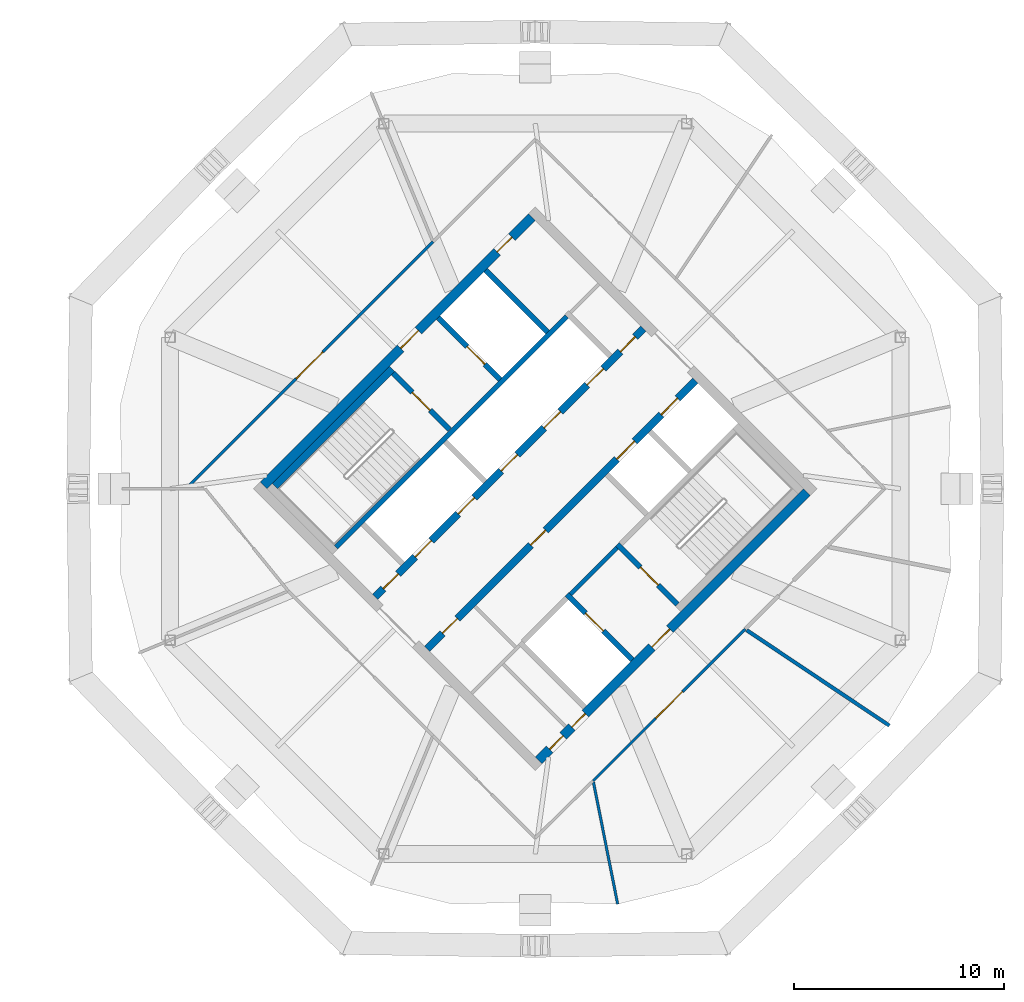
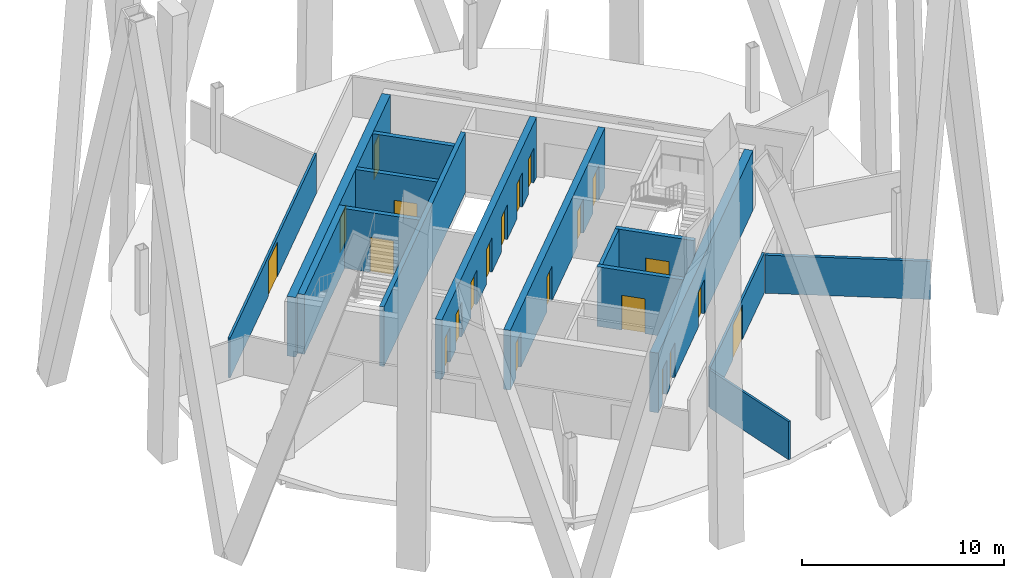
# One storey, part 7 of 11: 22 doors, 16 walls, 22 openings.
"""IFC4 building model written with IfcOpenShell, lengths in metres."""

from ifc_helpers import new_model, si_unit, direction, frame, frame_2d, origin, place, context, subcontext, project, spatial, rectangle, extrude, material, layer, layer_set, type_object, element, fill, save


model = new_model("IFC4")

# Units and contexts
model_context = context("Model", 3, precision=1e-05, world=origin(), true_north=direction((0.0, 1.0)))
body_context = subcontext(model_context, "Body", "Model", "MODEL_VIEW")
ifc_project = project(units=[si_unit("LENGTHUNIT", "METRE"), si_unit("AREAUNIT", "SQUARE_METRE"), si_unit("VOLUMEUNIT", "CUBIC_METRE"), si_unit("PLANEANGLEUNIT", "RADIAN"), si_unit("MASSUNIT", "GRAM", prefix="KILO")], contexts=[model_context])

# Site, building, storey
site_placement = place(None, origin())
site = spatial("IfcSite", under=ifc_project, at=site_placement, CompositionType="ELEMENT")
building_placement = place(site_placement, origin())
building = spatial("IfcBuilding", under=site, at=building_placement, Name="Ogive Gate Towers", CompositionType="ELEMENT")
storey_placement = place(building_placement, frame((0.0, 0.0, 244.5)))
storey = spatial("IfcBuildingStorey", under=building, at=storey_placement, Name="L58", CompositionType="ELEMENT", Elevation=244.5)

# Walls
ifc_material_1 = material(Name="Gypsum board acoustic partition")
ifc_layer_1 = layer(ifc_material_1, 0.175048828125)
ifc_layer_set_1 = layer_set([ifc_layer_1], Name="Acoustic partition 175")
wall_type_1 = type_object("IfcWallType", Name="Acoustic partition 175", PredefinedType="PARTITIONING", material=ifc_layer_set_1)
wall_1_placement = place(storey_placement, frame((52.89599609375, -11.300048828125, 0.0), z_axis=(0.0, 0.0, 1.0), x_axis=(-0.831223715201, 0.555938067852, 0.0)))
element("IfcWall", 1, at=wall_1_placement, inside=storey, type_object=wall_type_1, Name="Partition T2-L58-008", PredefinedType="PARTITIONING", context=body_context, shape_type="SweptSolid", body=[
    extrude(rectangle(XDim=8.1884765625, YDim=0.175048828125, at=frame_2d((4.09423828125, 0.0))), origin(), (0.0, 0.0, 1.0), 2.300048828125),
])
ifc_material_2 = material(Name="Masonry blockwork", Category="masonry")
ifc_layer_2 = layer(ifc_material_2, 0.199951171875)
ifc_layer_set_2 = layer_set([ifc_layer_2], Name="Blockwork wall 200 mm")
wall_type_2 = type_object("IfcWallType", Name="Blockwork wall 200 mm", PredefinedType="PARTITIONING", material=ifc_layer_set_2)
wall_2_placement = place(storey_placement, frame((37.679443359375, -5.0380859375, 0.0), z_axis=(0.0, 0.0, 1.0), x_axis=(0.707106781187, 0.707106781187, 0.0)))
element("IfcWall", 2, at=wall_2_placement, inside=storey, type_object=wall_type_2, Name="T2 L58 Blockwork wall 200 mm", PredefinedType="PARTITIONING", context=body_context, shape_type="SweptSolid", body=[
    extrude(rectangle(XDim=3.14990234375, YDim=0.199951171875, at=frame_2d((1.574951171875, 0.0))), origin(), (0.0, 0.0, 1.0), 3.60009765625),
])

# Wall, openings, doors
ifc_material_3 = material(Name="Concrete C60/75", Category="concrete")
ifc_layer_3 = layer(ifc_material_3, 0.449951171875)
ifc_layer_set_3 = layer_set([ifc_layer_3], Name="Core wall 450 mm")
wall_type_3 = type_object("IfcWallType", Name="Core wall 450 mm", PredefinedType="SHEAR", material=ifc_layer_set_3)
wall_3_placement = place(storey_placement, frame((36.1591796875, -12.957763671875, 0.0), z_axis=(0.0, 0.0, 1.0), x_axis=(0.707106781187, 0.707106781187, 0.0)))
wall_3 = element("IfcWall", 3, at=wall_3_placement, inside=storey, type_object=wall_type_3, Name="T2 L58 Core wall 450 mm", PredefinedType="SHEAR", context=body_context, shape_type="SweptSolid", body=[
    extrude(rectangle(XDim=18.099853515625, YDim=0.449951171875, at=frame_2d((9.0498046875, 0.0))), origin(), (0.0, 0.0, 1.0), 3.60009765625),
])
opening_1_placement = place(wall_3_placement, frame((7.64990234375, 0.0, 0.0)))
opening_1 = element("IfcOpeningElement", 4, at=opening_1_placement, cuts=wall_3, Name="Opening KD-T2-L58-19", PredefinedType="OPENING", context=body_context, shape_type="SweptSolid", body=[
    extrude(rectangle(XDim=1.199951171875, YDim=2.10009765625, at=frame_2d((0.60009765625, 1.050048828125))), frame((0.0, 0.23486328125, 0.0), z_axis=(0.0, -1.0, 0.0), x_axis=(1.0, 0.0, 0.0)), (0.0, 0.0, 1.0), 0.469970703125),
])
opening_2_placement = place(wall_3_placement, frame((0.75, 0.0, 0.0)))
opening_2 = element("IfcOpeningElement", 5, at=opening_2_placement, cuts=wall_3, Name="Opening KD-T2-L58-21", PredefinedType="OPENING", context=body_context, shape_type="SweptSolid", body=[
    extrude(rectangle(XDim=0.89990234375, YDim=2.10009765625, at=frame_2d((0.449951171875, 1.050048828125))), frame((0.0, 0.23486328125, 0.0), z_axis=(0.0, -1.0, 0.0), x_axis=(1.0, 0.0, 0.0)), (0.0, 0.0, 1.0), 0.469970703125),
])
opening_3_placement = place(wall_3_placement, frame((2.25, 0.0, 0.0)))
opening_3 = element("IfcOpeningElement", 6, at=opening_3_placement, cuts=wall_3, Name="Opening KD-T2-L58-22", PredefinedType="OPENING", context=body_context, shape_type="SweptSolid", body=[
    extrude(rectangle(XDim=0.89990234375, YDim=2.10009765625, at=frame_2d((0.449951171875, 1.050048828125))), frame((0.0, 0.23486328125, 0.0), z_axis=(0.0, -1.0, 0.0), x_axis=(1.0, 0.0, 0.0)), (0.0, 0.0, 1.0), 0.469970703125),
])
ifc_material_4 = material(Name="Timber door", Category="wood")
door_type_1 = type_object("IfcDoorType", Name="Core WC door 900 x 2100", OperationType="NOTDEFINED", PredefinedType="DOOR", material=ifc_material_4)
door_1_placement = place(opening_2_placement, origin())
door_1 = element("IfcDoor", 7, at=door_1_placement, inside=storey, type_object=door_type_1, Name="T2 L58 Core door", OperationType="SINGLE_SWING_RIGHT", OverallHeight=2.10009765625, OverallWidth=0.89990234375, PredefinedType="DOOR", context=body_context, shape_type="SweptSolid", body=[
    extrude(rectangle(XDim=0.89990234375, YDim=2.10009765625, at=frame_2d((0.449951171875, 1.050048828125))), frame((0.0, 0.02490234375, 0.0), z_axis=(0.0, -1.0, 0.0), x_axis=(1.0, 0.0, 0.0)), (0.0, 0.0, 1.0), 0.050048828125),
])
fill(opening_2, door_1)
door_2_placement = place(opening_3_placement, origin())
door_2 = element("IfcDoor", 8, at=door_2_placement, inside=storey, type_object=door_type_1, Name="T2 L58 Core door", OperationType="SINGLE_SWING_LEFT", OverallHeight=2.10009765625, OverallWidth=0.89990234375, PredefinedType="DOOR", context=body_context, shape_type="SweptSolid", body=[
    extrude(rectangle(XDim=0.89990234375, YDim=2.10009765625, at=frame_2d((0.449951171875, 1.050048828125))), frame((0.0, 0.02490234375, 0.0), z_axis=(0.0, -1.0, 0.0), x_axis=(1.0, 0.0, 0.0)), (0.0, 0.0, 1.0), 0.050048828125),
])
fill(opening_3, door_2)
ifc_material_5 = material(Name="Steel fire door", Category="steel")
door_type_2 = type_object("IfcDoorType", Name="Core door FD60S 1200 x 2100", OperationType="NOTDEFINED", PredefinedType="DOOR", material=ifc_material_5)
door_3_placement = place(opening_1_placement, origin())
door_3 = element("IfcDoor", 9, at=door_3_placement, inside=storey, type_object=door_type_2, Name="T2 L58 Fire-fighting lobby door", OperationType="SINGLE_SWING_RIGHT", OverallHeight=2.10009765625, OverallWidth=1.199951171875, PredefinedType="DOOR", context=body_context, shape_type="SweptSolid", body=[
    extrude(rectangle(XDim=1.199951171875, YDim=2.10009765625, at=frame_2d((0.60009765625, 1.050048828125))), frame((0.0, 0.02490234375, 0.0), z_axis=(0.0, -1.0, 0.0), x_axis=(1.0, 0.0, 0.0)), (0.0, 0.0, 1.0), 0.050048828125),
])
fill(opening_1, door_3)

wall_4_placement = place(storey_placement, frame((23.042236328125, 0.1591796875, 0.0), z_axis=(0.0, 0.0, 1.0), x_axis=(0.707106781187, 0.707106781187, 0.0)))
wall_4 = element("IfcWall", 10, at=wall_4_placement, inside=storey, type_object=wall_type_3, Name="T2 L58 Core wall 450 mm", PredefinedType="SHEAR", context=body_context, shape_type="SweptSolid", body=[
    extrude(rectangle(XDim=18.099853515625, YDim=0.449951171875, at=frame_2d((9.0498046875, 0.0))), origin(), (0.0, 0.0, 1.0), 3.60009765625),
])
opening_4_placement = place(wall_4_placement, frame((9.25, 0.0, 0.0)))
opening_4 = element("IfcOpeningElement", 11, at=opening_4_placement, cuts=wall_4, Name="Opening KD-T2-L58-18", PredefinedType="OPENING", context=body_context, shape_type="SweptSolid", body=[
    extrude(rectangle(XDim=1.199951171875, YDim=2.10009765625, at=frame_2d((0.60009765625, 1.050048828125))), frame((0.0, 0.23486328125, 0.0), z_axis=(0.0, -1.0, 0.0), x_axis=(1.0, 0.0, 0.0)), (0.0, 0.0, 1.0), 0.469970703125),
])
opening_5_placement = place(wall_4_placement, frame((15.75, 0.0, 0.0)))
opening_5 = element("IfcOpeningElement", 12, at=opening_5_placement, cuts=wall_4, Name="Opening KD-T2-L58-20", PredefinedType="OPENING", context=body_context, shape_type="SweptSolid", body=[
    extrude(rectangle(XDim=1.0, YDim=2.10009765625, at=frame_2d((0.5, 1.050048828125))), frame((0.0, 0.23486328125, 0.0), z_axis=(0.0, -1.0, 0.0), x_axis=(1.0, 0.0, 0.0)), (0.0, 0.0, 1.0), 0.469970703125),
])
door_type_3 = type_object("IfcDoorType", Name="Accessible WC door 1000 x 2100", OperationType="NOTDEFINED", PredefinedType="DOOR", material=ifc_material_4)
door_4_placement = place(opening_5_placement, origin())
door_4 = element("IfcDoor", 13, at=door_4_placement, inside=storey, type_object=door_type_3, Name="T2 L58 Core door", OperationType="SINGLE_SWING_LEFT", OverallHeight=2.10009765625, OverallWidth=1.0, PredefinedType="DOOR", context=body_context, shape_type="SweptSolid", body=[
    extrude(rectangle(XDim=1.0, YDim=2.10009765625, at=frame_2d((0.5, 1.050048828125))), frame((0.0, 0.02490234375, 0.0), z_axis=(0.0, -1.0, 0.0), x_axis=(1.0, 0.0, 0.0)), (0.0, 0.0, 1.0), 0.050048828125),
])
fill(opening_5, door_4)
door_5_placement = place(opening_4_placement, origin())
door_5 = element("IfcDoor", 14, at=door_5_placement, inside=storey, type_object=door_type_2, Name="T2 L58 Fire-fighting lobby door", OperationType="SINGLE_SWING_LEFT", OverallHeight=2.10009765625, OverallWidth=1.199951171875, PredefinedType="DOOR", context=body_context, shape_type="SweptSolid", body=[
    extrude(rectangle(XDim=1.199951171875, YDim=2.10009765625, at=frame_2d((0.60009765625, 1.050048828125))), frame((0.0, 0.02490234375, 0.0), z_axis=(0.0, -1.0, 0.0), x_axis=(1.0, 0.0, 0.0)), (0.0, 0.0, 1.0), 0.050048828125),
])
fill(opening_4, door_5)

# Wall
ifc_material_6 = material(Name="Gypsum board partition")
ifc_layer_4 = layer(ifc_material_6, 0.125)
ifc_layer_set_4 = layer_set([ifc_layer_4], Name="Partition 125")
wall_type_4 = type_object("IfcWallType", Name="Partition 125", PredefinedType="PARTITIONING", material=ifc_layer_set_4)
wall_5_placement = place(storey_placement, frame((39.93408203125, -19.822998046875, 0.0), z_axis=(0.0, 0.0, 1.0), x_axis=(-0.194647367093, 0.980873285641, 0.0)))
element("IfcWall", 15, at=wall_5_placement, inside=storey, type_object=wall_type_4, Name="Partition T2-L58-007", PredefinedType="PARTITIONING", context=body_context, shape_type="SweptSolid", body=[
    extrude(rectangle(XDim=5.946533203125, YDim=0.125, at=frame_2d((2.97314453125, 0.0))), origin(), (0.0, 0.0, 1.0), 2.300048828125),
])

# Wall, opening, door
wall_6_placement = place(storey_placement, frame((31.120361328125, 11.780517578125, 0.0), z_axis=(0.0, 0.0, 1.0), x_axis=(-0.707084584562, -0.707128977115, 0.0)))
wall_6 = element("IfcWall", 16, at=wall_6_placement, inside=storey, type_object=wall_type_4, Name="Partition T2-L58-010", PredefinedType="PARTITIONING", context=body_context, shape_type="SweptSolid", body=[
    extrude(rectangle(XDim=16.498779296875, YDim=0.125, at=frame_2d((8.24951171875, 0.0))), origin(), (0.0, 0.0, 1.0), 2.39990234375),
])
opening_6_placement = place(wall_6_placement, frame((7.429931640625, 0.0, 0.0)))
opening_6 = element("IfcOpeningElement", 17, at=opening_6_placement, cuts=wall_6, Name="Opening T2-L58-D01", PredefinedType="OPENING", context=body_context, shape_type="SweptSolid", body=[
    extrude(rectangle(XDim=1.800048828125, YDim=2.10009765625, at=frame_2d((0.89990234375, 1.050048828125))), frame((0.0, 0.072509765625, 0.0), z_axis=(0.0, -1.0, 0.0), x_axis=(1.0, 0.0, 0.0)), (0.0, 0.0, 1.0), 0.14501953125),
])
door_type_4 = type_object("IfcDoorType", Name="Door pair 1800", OperationType="NOTDEFINED", PredefinedType="DOOR", material=ifc_material_4)
door_6_placement = place(opening_6_placement, origin())
door_6 = element("IfcDoor", 18, at=door_6_placement, inside=storey, type_object=door_type_4, Name="Door T2-L58-D01", OperationType="DOUBLE_DOOR_DOUBLE_SWING", OverallHeight=2.10009765625, OverallWidth=1.800048828125, PredefinedType="DOOR", context=body_context, shape_type="SweptSolid", body=[
    extrude(rectangle(XDim=1.800048828125, YDim=2.10009765625, at=frame_2d((0.89990234375, 1.050048828125))), frame((0.0, 0.02490234375, 0.0), z_axis=(0.0, -1.0, 0.0), x_axis=(1.0, 0.0, 0.0)), (0.0, 0.0, 1.0), 0.050048828125),
])
fill(opening_6, door_6)

wall_7_placement = place(storey_placement, frame((38.764404296875, -13.928955078125, 0.0), z_axis=(0.0, 0.0, 1.0), x_axis=(0.708214508898, 0.705997315424, 0.0)))
wall_7 = element("IfcWall", 19, at=wall_7_placement, inside=storey, type_object=wall_type_4, Name="Partition T2-L58-015", PredefinedType="PARTITIONING", context=body_context, shape_type="SweptSolid", body=[
    extrude(rectangle(XDim=10.240478515625, YDim=0.125, at=frame_2d((5.1201171875, 0.0))), origin(), (0.0, 0.0, 1.0), 2.39990234375),
])
opening_7_placement = place(wall_7_placement, frame((4.219970703125, 0.0, 0.0)))
opening_7 = element("IfcOpeningElement", 20, at=opening_7_placement, cuts=wall_7, Name="Opening T2-L58-D05", PredefinedType="OPENING", context=body_context, shape_type="SweptSolid", body=[
    extrude(rectangle(XDim=1.800048828125, YDim=2.10009765625, at=frame_2d((0.89990234375, 1.050048828125))), frame((0.0, 0.072509765625, 0.0), z_axis=(0.0, -1.0, 0.0), x_axis=(1.0, 0.0, 0.0)), (0.0, 0.0, 1.0), 0.14501953125),
])
door_7_placement = place(opening_7_placement, origin())
door_7 = element("IfcDoor", 21, at=door_7_placement, inside=storey, type_object=door_type_4, Name="Door T2-L58-D05", OperationType="DOUBLE_DOOR_DOUBLE_SWING", OverallHeight=2.10009765625, OverallWidth=1.800048828125, PredefinedType="DOOR", context=body_context, shape_type="SweptSolid", body=[
    extrude(rectangle(XDim=1.800048828125, YDim=2.10009765625, at=frame_2d((0.89990234375, 1.050048828125))), frame((0.0, 0.02490234375, 0.0), z_axis=(0.0, -1.0, 0.0), x_axis=(1.0, 0.0, 0.0)), (0.0, 0.0, 1.0), 0.050048828125),
])
fill(opening_7, door_7)

# Wall
ifc_layer_5 = layer(ifc_material_3, 0.25)
ifc_layer_set_5 = layer_set([ifc_layer_5], Name="Shaft wall 250 mm")
wall_type_5 = type_object("IfcWallType", Name="Shaft wall 250 mm", PredefinedType="SHEAR", material=ifc_layer_set_5)
wall_8_placement = place(storey_placement, frame((26.489501953125, -2.793212890625, 0.0), z_axis=(0.0, 0.0, 1.0), x_axis=(0.707098943647, 0.70711461864, 0.0)))
element("IfcWall", 22, at=wall_8_placement, inside=storey, type_object=wall_type_5, Name="T2 L58 Shaft wall 250 mm", PredefinedType="SHEAR", context=body_context, shape_type="SweptSolid", body=[
    extrude(rectangle(XDim=15.5751953125, YDim=0.25, at=frame_2d((7.78759765625, 0.0))), origin(), (0.0, 0.0, 1.0), 3.60009765625),
])

# Wall, opening, door
wall_9_placement = place(storey_placement, frame((40.631591796875, -8.1669921875, 0.0), z_axis=(0.0, 0.0, 1.0), x_axis=(-0.707106781187, 0.707106781187, 0.0)))
wall_9 = element("IfcWall", 23, at=wall_9_placement, inside=storey, type_object=wall_type_5, Name="T2 L58 Shaft wall 250 mm", PredefinedType="SHEAR", context=body_context, shape_type="SweptSolid", body=[
    extrude(rectangle(XDim=4.425048828125, YDim=0.25, at=frame_2d((2.21240234375, 0.0))), origin(), (0.0, 0.0, 1.0), 3.60009765625),
])
opening_8_placement = place(wall_9_placement, frame((1.949951171875, 0.0, 0.0)))
opening_8 = element("IfcOpeningElement", 24, at=opening_8_placement, cuts=wall_9, Name="Opening LD-T2-L58-13", PredefinedType="OPENING", context=body_context, shape_type="SweptSolid", body=[
    extrude(rectangle(XDim=1.199951171875, YDim=2.10009765625, at=frame_2d((0.60009765625, 1.050048828125))), frame((0.0, 0.135009765625, 0.0), z_axis=(0.0, -1.0, 0.0), x_axis=(1.0, 0.0, 0.0)), (0.0, 0.0, 1.0), 0.27001953125),
])
ifc_material_7 = material(Name="Stainless steel landing door", Category="steel")
door_type_5 = type_object("IfcDoorType", Name="Landing door 1200 x 2100", OperationType="SLIDING_TO_LEFT", PredefinedType="DOOR", material=ifc_material_7)
door_8_placement = place(opening_8_placement, origin())
door_8 = element("IfcDoor", 25, at=door_8_placement, inside=storey, type_object=door_type_5, Name="T2 L58 Lift landing door FF2", OperationType="SLIDING_TO_LEFT", OverallHeight=2.10009765625, OverallWidth=1.199951171875, PredefinedType="DOOR", context=body_context, shape_type="SweptSolid", body=[
    extrude(rectangle(XDim=1.199951171875, YDim=2.10009765625, at=frame_2d((0.60009765625, 1.050048828125))), frame((0.0, 0.02490234375, 0.0), z_axis=(0.0, -1.0, 0.0), x_axis=(1.0, 0.0, 0.0)), (0.0, 0.0, 1.0), 0.050048828125),
])
fill(opening_8, door_8)

wall_10_placement = place(storey_placement, frame((31.91650390625, 2.810791015625, 0.0), z_axis=(0.0, 0.0, 1.0), x_axis=(-0.707106781187, 0.707106781187, 0.0)))
wall_10 = element("IfcWall", 26, at=wall_10_placement, inside=storey, type_object=wall_type_5, Name="T2 L58 Shaft wall 250 mm", PredefinedType="SHEAR", context=body_context, shape_type="SweptSolid", body=[
    extrude(rectangle(XDim=3.824951171875, YDim=0.25, at=frame_2d((1.91259765625, 0.0))), origin(), (0.0, 0.0, 1.0), 3.60009765625),
])
opening_9_placement = place(wall_10_placement, frame((1.324951171875, 0.0, 0.0)))
opening_9 = element("IfcOpeningElement", 27, at=opening_9_placement, cuts=wall_10, Name="Opening KD-T2-L58-16", PredefinedType="OPENING", context=body_context, shape_type="SweptSolid", body=[
    extrude(rectangle(XDim=1.199951171875, YDim=2.10009765625, at=frame_2d((0.60009765625, 1.050048828125))), frame((0.0, 0.135009765625, 0.0), z_axis=(0.0, -1.0, 0.0), x_axis=(1.0, 0.0, 0.0)), (0.0, 0.0, 1.0), 0.27001953125),
])
door_9_placement = place(opening_9_placement, origin())
door_9 = element("IfcDoor", 28, at=door_9_placement, inside=storey, type_object=door_type_2, Name="T2 L58 Stair door", OperationType="SINGLE_SWING_LEFT", OverallHeight=2.10009765625, OverallWidth=1.199951171875, PredefinedType="DOOR", context=body_context, shape_type="SweptSolid", body=[
    extrude(rectangle(XDim=1.199951171875, YDim=2.10009765625, at=frame_2d((0.60009765625, 1.050048828125))), frame((0.0, 0.02490234375, 0.0), z_axis=(0.0, -1.0, 0.0), x_axis=(1.0, 0.0, 0.0)), (0.0, 0.0, 1.0), 0.050048828125),
])
fill(opening_9, door_9)

wall_11_placement = place(storey_placement, frame((42.7880859375, -5.515380859375, 0.0), z_axis=(0.0, 0.0, 1.0), x_axis=(-0.707106781187, 0.707106781187, 0.0)))
wall_11 = element("IfcWall", 29, at=wall_11_placement, inside=storey, type_object=wall_type_5, Name="T2 L58 Shaft wall 250 mm", PredefinedType="SHEAR", context=body_context, shape_type="SweptSolid", body=[
    extrude(rectangle(XDim=4.050048828125, YDim=0.25, at=frame_2d((2.02490234375, 0.0))), origin(), (0.0, 0.0, 1.0), 3.60009765625),
])
opening_10_placement = place(wall_11_placement, frame((1.300048828125, 0.0, 0.0)))
opening_10 = element("IfcOpeningElement", 30, at=opening_10_placement, cuts=wall_11, Name="Opening KD-T2-L58-17", PredefinedType="OPENING", context=body_context, shape_type="SweptSolid", body=[
    extrude(rectangle(XDim=1.199951171875, YDim=2.10009765625, at=frame_2d((0.60009765625, 1.050048828125))), frame((0.0, 0.135009765625, 0.0), z_axis=(0.0, -1.0, 0.0), x_axis=(1.0, 0.0, 0.0)), (0.0, 0.0, 1.0), 0.27001953125),
])
door_10_placement = place(opening_10_placement, origin())
door_10 = element("IfcDoor", 31, at=door_10_placement, inside=storey, type_object=door_type_2, Name="T2 L58 Stair door", OperationType="SINGLE_SWING_RIGHT", OverallHeight=2.10009765625, OverallWidth=1.199951171875, PredefinedType="DOOR", context=body_context, shape_type="SweptSolid", body=[
    extrude(rectangle(XDim=1.199951171875, YDim=2.10009765625, at=frame_2d((0.60009765625, 1.050048828125))), frame((0.0, 0.02490234375, 0.0), z_axis=(0.0, -1.0, 0.0), x_axis=(1.0, 0.0, 0.0)), (0.0, 0.0, 1.0), 0.050048828125),
])
fill(opening_10, door_10)

wall_12_placement = place(storey_placement, frame((34.320556640625, 5.21484375, 0.0), z_axis=(0.0, 0.0, 1.0), x_axis=(-0.707106781187, 0.707106781187, 0.0)))
wall_12 = element("IfcWall", 32, at=wall_12_placement, inside=storey, type_object=wall_type_5, Name="T2 L58 Shaft wall 250 mm", PredefinedType="SHEAR", context=body_context, shape_type="SweptSolid", body=[
    extrude(rectangle(XDim=4.175048828125, YDim=0.25, at=frame_2d((2.08740234375, 0.0))), origin(), (0.0, 0.0, 1.0), 3.60009765625),
])
opening_11_placement = place(wall_12_placement, frame((1.02490234375, 0.0, 0.0)))
opening_11 = element("IfcOpeningElement", 33, at=opening_11_placement, cuts=wall_12, Name="Opening LD-T2-L58-12", PredefinedType="OPENING", context=body_context, shape_type="SweptSolid", body=[
    extrude(rectangle(XDim=1.199951171875, YDim=2.10009765625, at=frame_2d((0.60009765625, 1.050048828125))), frame((0.0, 0.135009765625, 0.0), z_axis=(0.0, -1.0, 0.0), x_axis=(1.0, 0.0, 0.0)), (0.0, 0.0, 1.0), 0.27001953125),
])
door_11_placement = place(opening_11_placement, origin())
door_11 = element("IfcDoor", 34, at=door_11_placement, inside=storey, type_object=door_type_5, Name="T2 L58 Lift landing door FF1", OperationType="SLIDING_TO_LEFT", OverallHeight=2.10009765625, OverallWidth=1.199951171875, PredefinedType="DOOR", context=body_context, shape_type="SweptSolid", body=[
    extrude(rectangle(XDim=1.199951171875, YDim=2.10009765625, at=frame_2d((0.60009765625, 1.050048828125))), frame((0.0, 0.02490234375, 0.0), z_axis=(0.0, -1.0, 0.0), x_axis=(1.0, 0.0, 0.0)), (0.0, 0.0, 1.0), 0.050048828125),
])
fill(opening_11, door_11)

# Wall
wall_13_placement = place(storey_placement, frame((36.58349609375, 7.477783203125, 0.0), z_axis=(0.0, 0.0, 1.0), x_axis=(-0.707165256008, 0.707048301529, 0.0)))
element("IfcWall", 35, at=wall_13_placement, inside=storey, type_object=wall_type_5, Name="T2 L58 Shaft wall 250 mm", PredefinedType="SHEAR", context=body_context, shape_type="SweptSolid", body=[
    extrude(rectangle(XDim=4.175048828125, YDim=0.25, at=frame_2d((2.08740234375, 0.0))), origin(), (0.0, 0.0, 1.0), 3.60009765625),
])

# Wall, openings, doors
ifc_layer_6 = layer(ifc_material_3, 0.35009765625)
ifc_layer_set_6 = layer_set([ifc_layer_6], Name="Spine wall 350 mm")
wall_type_6 = type_object("IfcWallType", Name="Spine wall 350 mm", PredefinedType="SHEAR", material=ifc_layer_set_6)
wall_14_placement = place(storey_placement, frame((30.838134765625, -7.63671875, 0.0), z_axis=(0.0, 0.0, 1.0), x_axis=(0.707106781187, 0.707106781187, 0.0)))
wall_14 = element("IfcWall", 36, at=wall_14_placement, inside=storey, type_object=wall_type_6, Name="T2 L58 Spine wall 350 mm", PredefinedType="SHEAR", context=body_context, shape_type="SweptSolid", body=[
    extrude(rectangle(XDim=18.099853515625, YDim=0.35009765625, at=frame_2d((9.0498046875, 0.0))), origin(), (0.0, 0.0, 1.0), 3.60009765625),
])
opening_12_placement = place(wall_14_placement, frame((12.800048828125, 0.0, 0.0)))
opening_12 = element("IfcOpeningElement", 37, at=opening_12_placement, cuts=wall_14, Name="Opening LD-T2-L58-10", PredefinedType="OPENING", context=body_context, shape_type="SweptSolid", body=[
    extrude(rectangle(XDim=1.199951171875, YDim=2.10009765625, at=frame_2d((0.60009765625, 1.050048828125))), frame((0.0, 0.18505859375, 0.0), z_axis=(0.0, -1.0, 0.0), x_axis=(1.0, 0.0, 0.0)), (0.0, 0.0, 1.0), 0.3701171875),
])
opening_13_placement = place(wall_14_placement, frame((15.800048828125, 0.0, 0.0)))
opening_13 = element("IfcOpeningElement", 38, at=opening_13_placement, cuts=wall_14, Name="Opening LD-T2-L58-11", PredefinedType="OPENING", context=body_context, shape_type="SweptSolid", body=[
    extrude(rectangle(XDim=1.10009765625, YDim=2.10009765625, at=frame_2d((0.550048828125, 1.050048828125))), frame((0.0, 0.18505859375, 0.0), z_axis=(0.0, -1.0, 0.0), x_axis=(1.0, 0.0, 0.0)), (0.0, 0.0, 1.0), 0.3701171875),
])
opening_14_placement = place(wall_14_placement, frame((1.050048828125, 0.0, 0.0)))
opening_14 = element("IfcOpeningElement", 39, at=opening_14_placement, cuts=wall_14, Name="Opening KD-T2-L58-14", PredefinedType="OPENING", context=body_context, shape_type="SweptSolid", body=[
    extrude(rectangle(XDim=1.0, YDim=2.10009765625, at=frame_2d((0.5, 1.050048828125))), frame((0.0, 0.18505859375, 0.0), z_axis=(0.0, -1.0, 0.0), x_axis=(1.0, 0.0, 0.0)), (0.0, 0.0, 1.0), 0.3701171875),
])
opening_15_placement = place(wall_14_placement, frame((7.0, 0.0, 0.0)))
opening_15 = element("IfcOpeningElement", 40, at=opening_15_placement, cuts=wall_14, Name="Opening KD-T2-L58-15", PredefinedType="OPENING", context=body_context, shape_type="SweptSolid", body=[
    extrude(rectangle(XDim=1.0, YDim=2.10009765625, at=frame_2d((0.5, 1.050048828125))), frame((0.0, 0.18505859375, 0.0), z_axis=(0.0, -1.0, 0.0), x_axis=(1.0, 0.0, 0.0)), (0.0, 0.0, 1.0), 0.3701171875),
])
door_type_6 = type_object("IfcDoorType", Name="Core door FD60S 1000 x 2100", OperationType="NOTDEFINED", PredefinedType="DOOR", material=ifc_material_5)
door_12_placement = place(opening_14_placement, origin())
door_12 = element("IfcDoor", 41, at=door_12_placement, inside=storey, type_object=door_type_6, Name="T2 L58 Core door", OperationType="SINGLE_SWING_LEFT", OverallHeight=2.10009765625, OverallWidth=1.0, PredefinedType="DOOR", context=body_context, shape_type="SweptSolid", body=[
    extrude(rectangle(XDim=1.0, YDim=2.10009765625, at=frame_2d((0.5, 1.050048828125))), frame((0.0, 0.02490234375, 0.0), z_axis=(0.0, -1.0, 0.0), x_axis=(1.0, 0.0, 0.0)), (0.0, 0.0, 1.0), 0.050048828125),
])
fill(opening_14, door_12)
door_13_placement = place(opening_15_placement, origin())
door_13 = element("IfcDoor", 42, at=door_13_placement, inside=storey, type_object=door_type_6, Name="T2 L58 Core door", OperationType="SINGLE_SWING_RIGHT", OverallHeight=2.10009765625, OverallWidth=1.0, PredefinedType="DOOR", context=body_context, shape_type="SweptSolid", body=[
    extrude(rectangle(XDim=1.0, YDim=2.10009765625, at=frame_2d((0.5, 1.050048828125))), frame((0.0, 0.02490234375, 0.0), z_axis=(0.0, -1.0, 0.0), x_axis=(1.0, 0.0, 0.0)), (0.0, 0.0, 1.0), 0.050048828125),
])
fill(opening_15, door_13)
door_type_7 = type_object("IfcDoorType", Name="Landing door 1100 x 2100", OperationType="SLIDING_TO_LEFT", PredefinedType="DOOR", material=ifc_material_7)
door_14_placement = place(opening_13_placement, origin())
door_14 = element("IfcDoor", 43, at=door_14_placement, inside=storey, type_object=door_type_7, Name="T2 L58 Lift landing door B6", OperationType="SLIDING_TO_LEFT", OverallHeight=2.10009765625, OverallWidth=1.10009765625, PredefinedType="DOOR", context=body_context, shape_type="SweptSolid", body=[
    extrude(rectangle(XDim=1.10009765625, YDim=2.10009765625, at=frame_2d((0.550048828125, 1.050048828125))), frame((0.0, 0.02490234375, 0.0), z_axis=(0.0, -1.0, 0.0), x_axis=(1.0, 0.0, 0.0)), (0.0, 0.0, 1.0), 0.050048828125),
])
fill(opening_13, door_14)
door_15_placement = place(opening_12_placement, origin())
door_15 = element("IfcDoor", 44, at=door_15_placement, inside=storey, type_object=door_type_5, Name="T2 L58 Lift landing door SVC", OperationType="SLIDING_TO_LEFT", OverallHeight=2.10009765625, OverallWidth=1.199951171875, PredefinedType="DOOR", context=body_context, shape_type="SweptSolid", body=[
    extrude(rectangle(XDim=1.199951171875, YDim=2.10009765625, at=frame_2d((0.60009765625, 1.050048828125))), frame((0.0, 0.02490234375, 0.0), z_axis=(0.0, -1.0, 0.0), x_axis=(1.0, 0.0, 0.0)), (0.0, 0.0, 1.0), 0.050048828125),
])
fill(opening_12, door_15)

wall_15_placement = place(storey_placement, frame((28.36328125, -5.161865234375, 0.0), z_axis=(0.0, 0.0, 1.0), x_axis=(0.707106781187, 0.707106781187, 0.0)))
wall_15 = element("IfcWall", 45, at=wall_15_placement, inside=storey, type_object=wall_type_6, Name="T2 L58 Spine wall 350 mm", PredefinedType="SHEAR", context=body_context, shape_type="SweptSolid", body=[
    extrude(rectangle(XDim=18.099853515625, YDim=0.35009765625, at=frame_2d((9.0498046875, 0.0))), origin(), (0.0, 0.0, 1.0), 3.60009765625),
])
opening_16_placement = place(wall_15_placement, frame((0.550048828125, 0.0, 0.0)))
opening_16 = element("IfcOpeningElement", 46, at=opening_16_placement, cuts=wall_15, Name="Opening KD-T2-L58-03", PredefinedType="OPENING", context=body_context, shape_type="SweptSolid", body=[
    extrude(rectangle(XDim=1.0, YDim=2.10009765625, at=frame_2d((0.5, 1.050048828125))), frame((0.0, 0.18505859375, 0.0), z_axis=(0.0, -1.0, 0.0), x_axis=(1.0, 0.0, 0.0)), (0.0, 0.0, 1.0), 0.3701171875),
])
opening_17_placement = place(wall_15_placement, frame((2.699951171875, 0.0, 0.0)))
opening_17 = element("IfcOpeningElement", 47, at=opening_17_placement, cuts=wall_15, Name="Opening LD-T2-L58-04", PredefinedType="OPENING", context=body_context, shape_type="SweptSolid", body=[
    extrude(rectangle(XDim=1.10009765625, YDim=2.10009765625, at=frame_2d((0.550048828125, 1.050048828125))), frame((0.0, 0.18505859375, 0.0), z_axis=(0.0, -1.0, 0.0), x_axis=(1.0, 0.0, 0.0)), (0.0, 0.0, 1.0), 0.3701171875),
])
opening_18_placement = place(wall_15_placement, frame((5.60009765625, 0.0, 0.0)))
opening_18 = element("IfcOpeningElement", 48, at=opening_18_placement, cuts=wall_15, Name="Opening LD-T2-L58-05", PredefinedType="OPENING", context=body_context, shape_type="SweptSolid", body=[
    extrude(rectangle(XDim=1.10009765625, YDim=2.10009765625, at=frame_2d((0.550048828125, 1.050048828125))), frame((0.0, 0.18505859375, 0.0), z_axis=(0.0, -1.0, 0.0), x_axis=(1.0, 0.0, 0.0)), (0.0, 0.0, 1.0), 0.3701171875),
])
opening_19_placement = place(wall_15_placement, frame((8.5, 0.0, 0.0)))
opening_19 = element("IfcOpeningElement", 49, at=opening_19_placement, cuts=wall_15, Name="Opening LD-T2-L58-06", PredefinedType="OPENING", context=body_context, shape_type="SweptSolid", body=[
    extrude(rectangle(XDim=1.10009765625, YDim=2.10009765625, at=frame_2d((0.550048828125, 1.050048828125))), frame((0.0, 0.18505859375, 0.0), z_axis=(0.0, -1.0, 0.0), x_axis=(1.0, 0.0, 0.0)), (0.0, 0.0, 1.0), 0.3701171875),
])
opening_20_placement = place(wall_15_placement, frame((11.39990234375, 0.0, 0.0)))
opening_20 = element("IfcOpeningElement", 50, at=opening_20_placement, cuts=wall_15, Name="Opening LD-T2-L58-07", PredefinedType="OPENING", context=body_context, shape_type="SweptSolid", body=[
    extrude(rectangle(XDim=1.10009765625, YDim=2.10009765625, at=frame_2d((0.550048828125, 1.050048828125))), frame((0.0, 0.18505859375, 0.0), z_axis=(0.0, -1.0, 0.0), x_axis=(1.0, 0.0, 0.0)), (0.0, 0.0, 1.0), 0.3701171875),
])
opening_21_placement = place(wall_15_placement, frame((14.300048828125, 0.0, 0.0)))
opening_21 = element("IfcOpeningElement", 51, at=opening_21_placement, cuts=wall_15, Name="Opening LD-T2-L58-08", PredefinedType="OPENING", context=body_context, shape_type="SweptSolid", body=[
    extrude(rectangle(XDim=1.10009765625, YDim=2.10009765625, at=frame_2d((0.550048828125, 1.050048828125))), frame((0.0, 0.18505859375, 0.0), z_axis=(0.0, -1.0, 0.0), x_axis=(1.0, 0.0, 0.0)), (0.0, 0.0, 1.0), 0.3701171875),
])
opening_22_placement = place(wall_15_placement, frame((16.550048828125, 0.0, 0.0)))
opening_22 = element("IfcOpeningElement", 52, at=opening_22_placement, cuts=wall_15, Name="Opening KD-T2-L58-09", PredefinedType="OPENING", context=body_context, shape_type="SweptSolid", body=[
    extrude(rectangle(XDim=1.0, YDim=2.10009765625, at=frame_2d((0.5, 1.050048828125))), frame((0.0, 0.18505859375, 0.0), z_axis=(0.0, -1.0, 0.0), x_axis=(1.0, 0.0, 0.0)), (0.0, 0.0, 1.0), 0.3701171875),
])
door_16_placement = place(opening_16_placement, origin())
door_16 = element("IfcDoor", 53, at=door_16_placement, inside=storey, type_object=door_type_6, Name="T2 L58 Core door", OperationType="SINGLE_SWING_RIGHT", OverallHeight=2.10009765625, OverallWidth=1.0, PredefinedType="DOOR", context=body_context, shape_type="SweptSolid", body=[
    extrude(rectangle(XDim=1.0, YDim=2.10009765625, at=frame_2d((0.5, 1.050048828125))), frame((0.0, 0.02490234375, 0.0), z_axis=(0.0, -1.0, 0.0), x_axis=(1.0, 0.0, 0.0)), (0.0, 0.0, 1.0), 0.050048828125),
])
fill(opening_16, door_16)
door_17_placement = place(opening_22_placement, origin())
door_17 = element("IfcDoor", 54, at=door_17_placement, inside=storey, type_object=door_type_6, Name="T2 L58 Core door", OperationType="SINGLE_SWING_RIGHT", OverallHeight=2.10009765625, OverallWidth=1.0, PredefinedType="DOOR", context=body_context, shape_type="SweptSolid", body=[
    extrude(rectangle(XDim=1.0, YDim=2.10009765625, at=frame_2d((0.5, 1.050048828125))), frame((0.0, 0.02490234375, 0.0), z_axis=(0.0, -1.0, 0.0), x_axis=(1.0, 0.0, 0.0)), (0.0, 0.0, 1.0), 0.050048828125),
])
fill(opening_22, door_17)
door_18_placement = place(opening_17_placement, origin())
door_18 = element("IfcDoor", 55, at=door_18_placement, inside=storey, type_object=door_type_7, Name="T2 L58 Lift landing door B1", OperationType="SLIDING_TO_LEFT", OverallHeight=2.10009765625, OverallWidth=1.10009765625, PredefinedType="DOOR", context=body_context, shape_type="SweptSolid", body=[
    extrude(rectangle(XDim=1.10009765625, YDim=2.10009765625, at=frame_2d((0.550048828125, 1.050048828125))), frame((0.0, 0.02490234375, 0.0), z_axis=(0.0, -1.0, 0.0), x_axis=(1.0, 0.0, 0.0)), (0.0, 0.0, 1.0), 0.050048828125),
])
fill(opening_17, door_18)
door_19_placement = place(opening_18_placement, origin())
door_19 = element("IfcDoor", 56, at=door_19_placement, inside=storey, type_object=door_type_7, Name="T2 L58 Lift landing door B2", OperationType="SLIDING_TO_LEFT", OverallHeight=2.10009765625, OverallWidth=1.10009765625, PredefinedType="DOOR", context=body_context, shape_type="SweptSolid", body=[
    extrude(rectangle(XDim=1.10009765625, YDim=2.10009765625, at=frame_2d((0.550048828125, 1.050048828125))), frame((0.0, 0.02490234375, 0.0), z_axis=(0.0, -1.0, 0.0), x_axis=(1.0, 0.0, 0.0)), (0.0, 0.0, 1.0), 0.050048828125),
])
fill(opening_18, door_19)
door_20_placement = place(opening_19_placement, origin())
door_20 = element("IfcDoor", 57, at=door_20_placement, inside=storey, type_object=door_type_7, Name="T2 L58 Lift landing door B3", OperationType="SLIDING_TO_LEFT", OverallHeight=2.10009765625, OverallWidth=1.10009765625, PredefinedType="DOOR", context=body_context, shape_type="SweptSolid", body=[
    extrude(rectangle(XDim=1.10009765625, YDim=2.10009765625, at=frame_2d((0.550048828125, 1.050048828125))), frame((0.0, 0.02490234375, 0.0), z_axis=(0.0, -1.0, 0.0), x_axis=(1.0, 0.0, 0.0)), (0.0, 0.0, 1.0), 0.050048828125),
])
fill(opening_19, door_20)
door_21_placement = place(opening_20_placement, origin())
door_21 = element("IfcDoor", 58, at=door_21_placement, inside=storey, type_object=door_type_7, Name="T2 L58 Lift landing door B4", OperationType="SLIDING_TO_LEFT", OverallHeight=2.10009765625, OverallWidth=1.10009765625, PredefinedType="DOOR", context=body_context, shape_type="SweptSolid", body=[
    extrude(rectangle(XDim=1.10009765625, YDim=2.10009765625, at=frame_2d((0.550048828125, 1.050048828125))), frame((0.0, 0.02490234375, 0.0), z_axis=(0.0, -1.0, 0.0), x_axis=(1.0, 0.0, 0.0)), (0.0, 0.0, 1.0), 0.050048828125),
])
fill(opening_20, door_21)
door_22_placement = place(opening_21_placement, origin())
door_22 = element("IfcDoor", 59, at=door_22_placement, inside=storey, type_object=door_type_7, Name="T2 L58 Lift landing door B5", OperationType="SLIDING_TO_LEFT", OverallHeight=2.10009765625, OverallWidth=1.10009765625, PredefinedType="DOOR", context=body_context, shape_type="SweptSolid", body=[
    extrude(rectangle(XDim=1.10009765625, YDim=2.10009765625, at=frame_2d((0.550048828125, 1.050048828125))), frame((0.0, 0.02490234375, 0.0), z_axis=(0.0, -1.0, 0.0), x_axis=(1.0, 0.0, 0.0)), (0.0, 0.0, 1.0), 0.050048828125),
])
fill(opening_21, door_22)

# Wall
ifc_layer_7 = layer(ifc_material_3, 0.35009765625)
ifc_layer_set_7 = layer_set([ifc_layer_7], Name="Stair wall 350 mm")
wall_type_7 = type_object("IfcWallType", Name="Stair wall 350 mm", PredefinedType="SHEAR", material=ifc_layer_set_7)
wall_16_placement = place(storey_placement, frame((23.572509765625, 0.123779296875, 0.0), z_axis=(0.0, 0.0, 1.0), x_axis=(0.707122184046, 0.707091377991, 0.0)))
element("IfcWall", 60, at=wall_16_placement, inside=storey, type_object=wall_type_7, Name="T2 L58 Stair wall 350 mm", PredefinedType="SHEAR", context=body_context, shape_type="SweptSolid", body=[
    extrude(rectangle(XDim=7.925048828125, YDim=0.35009765625, at=frame_2d((3.96240234375, 0.0))), origin(), (0.0, 0.0, 1.0), 3.60009765625),
])

save(model, "model.ifc")
